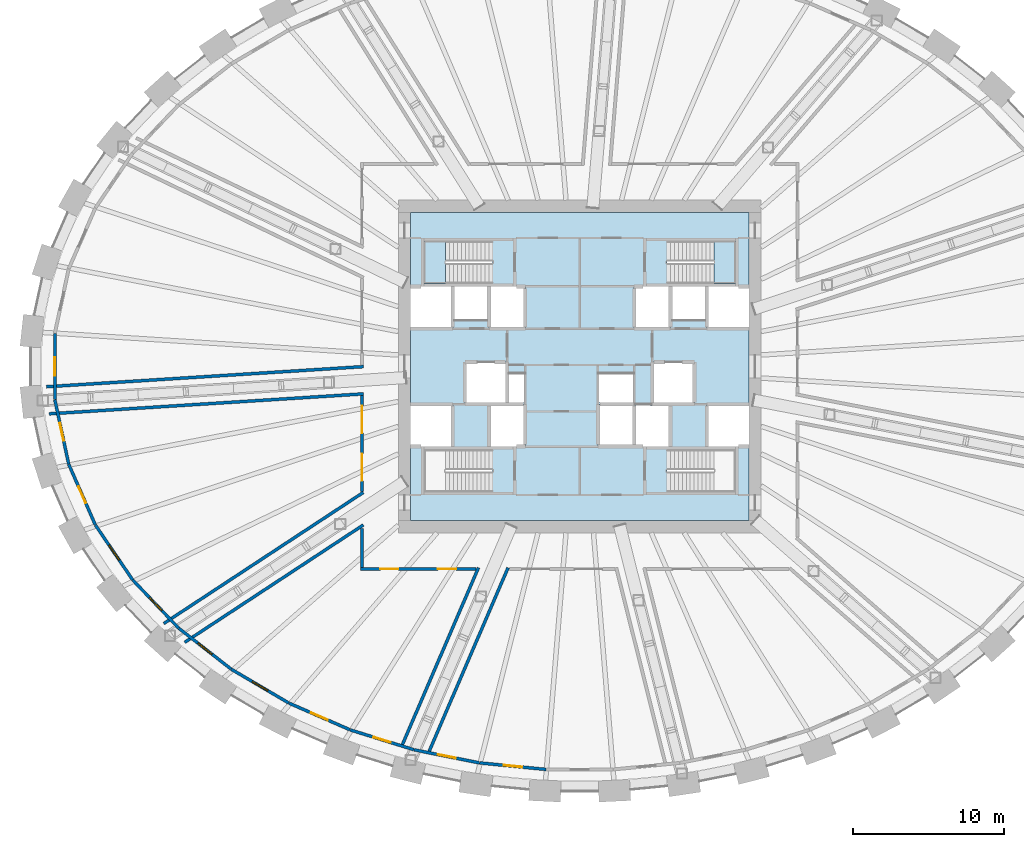
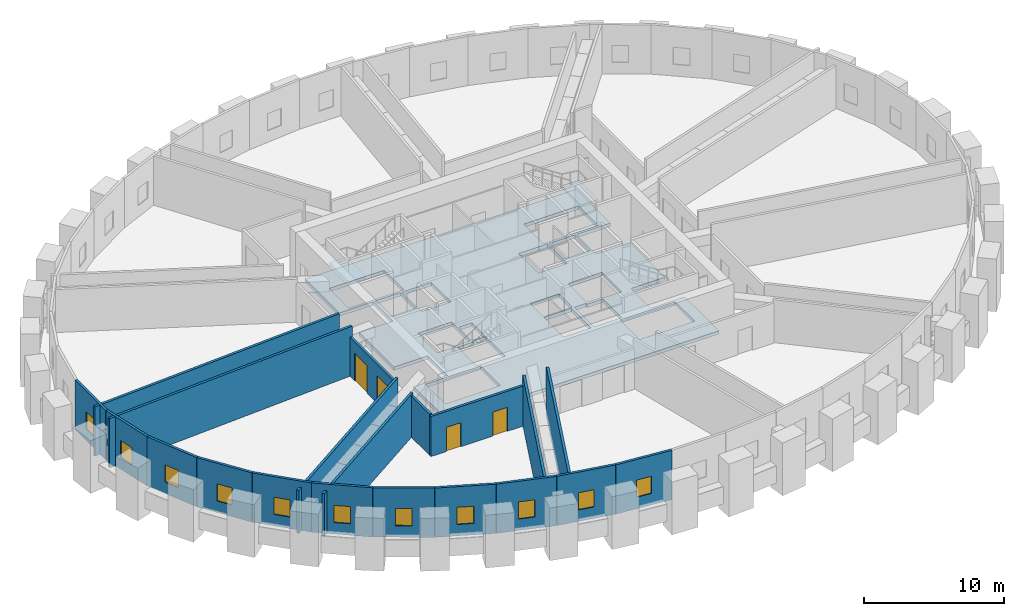
# One storey, part 6 of 13: 20 walls, 11 windows, 4 doors, 3 slabs, 15 openings, 2 elements without a shape of their own.
"""IFC4 building model written with IfcOpenShell, lengths in metres."""

from ifc_helpers import new_model, si_unit, direction, frame, frame_2d, origin, place, context, subcontext, project, spatial, polyline, rectangle, outline, extrude, source, transform, mapped, material, layer, layer_set, type_object, element, fill, aggregate, save


model = new_model("IFC4")

# Units and contexts
model_context = context("Model", 3, precision=1e-05, world=origin(), true_north=direction((0.0, 1.0)))
body_context = subcontext(model_context, "Body", "Model", "MODEL_VIEW")
ifc_project = project(units=[si_unit("LENGTHUNIT", "METRE"), si_unit("AREAUNIT", "SQUARE_METRE"), si_unit("VOLUMEUNIT", "CUBIC_METRE"), si_unit("PLANEANGLEUNIT", "RADIAN"), si_unit("MASSUNIT", "GRAM", prefix="KILO")], contexts=[model_context])

# Site, building, storey
site_placement = place(None, origin())
site = spatial("IfcSite", under=ifc_project, at=site_placement, CompositionType="ELEMENT")
building_placement = place(site_placement, origin())
building = spatial("IfcBuilding", under=site, at=building_placement, Name="Embergate Tower", CompositionType="ELEMENT")
storey_placement = place(building_placement, frame((0.0, 0.0, 195.0)))
storey = spatial("IfcBuildingStorey", under=building, at=storey_placement, Name="L44", CompositionType="ELEMENT", Elevation=195.0)

# Stair, slab
ifc_material_1 = material(Name="Exit stair")
stair_type = type_object("IfcStairType", Name="Exit stair", PredefinedType="HALF_TURN_STAIR", material=ifc_material_1)
stair_1_placement = place(storey_placement, origin())
stair_1 = element("IfcStair", 1, at=stair_1_placement, inside=storey, type_object=stair_type, Name="L44 Exit stair 1", PredefinedType="HALF_TURN_STAIR")
ifc_material_2 = material(Name="Concrete C40", Category="concrete")
ifc_layer_1 = layer(ifc_material_2, 0.199951171875)
ifc_layer_set_1 = layer_set([ifc_layer_1], Name="Concrete C40")
slab_type_1 = type_object("IfcSlabType", Name="Stair landing reinforced concrete", PredefinedType="LANDING", material=ifc_layer_set_1)
shared_shape_1 = source(origin(), body_context, "Body", "SweptSolid", [
    extrude(outline(polyline([(0.0, 0.0), (1.429931640625, 0.0), (1.429931640625, 2.800048828125), (0.0, 2.800048828125), (0.0, 0.0)])), origin(), (0.0, 0.0, 1.0), 0.199951171875),
])
slab_1_placement = place(storey_placement, frame((-10.300048828125, 5.5, 2.050048828125)))
slab_1 = element("IfcSlab", 2, at=slab_1_placement, type_object=slab_type_1, Name="ST1 landing 1", PredefinedType="LANDING", context=body_context, shape_type="MappedRepresentation", body=[
    mapped(shared_shape_1, transform((0.0, 0.0, 0.0))),
])
aggregate(stair_1, [slab_1])

stair_2_placement = place(storey_placement, origin())
stair_2 = element("IfcStair", 3, at=stair_2_placement, inside=storey, type_object=stair_type, Name="L44 Exit stair 2", PredefinedType="HALF_TURN_STAIR")
slab_2_placement = place(storey_placement, frame((8.8701171875, 5.5, 2.050048828125)))
slab_2 = element("IfcSlab", 4, at=slab_2_placement, type_object=slab_type_1, Name="ST2 landing 1", PredefinedType="LANDING", context=body_context, shape_type="MappedRepresentation", body=[
    mapped(shared_shape_1, transform((0.0, 0.0, 0.0))),
])
aggregate(stair_2, [slab_2])

# Slab
ifc_layer_2 = layer(ifc_material_2, 0.300048828125)
ifc_layer_set_2 = layer_set([ifc_layer_2], Name="Concrete C40")
slab_type_2 = type_object("IfcSlabType", Name="Core floor slab 300 reinforced concrete", PredefinedType="FLOOR", material=ifc_layer_set_2)
shared_shape_2 = source(origin(), body_context, "Body", "SweptSolid", [
    extrude(outline(polyline([(0.0, 0.0), (22.39990234375, 0.0), (22.39990234375, 4.89990234375), (19.599853515625, 4.89990234375), (19.599853515625, 7.699951171875), (22.39990234375, 7.699951171875), (22.39990234375, 12.699951171875), (19.599853515625, 12.699951171875), (19.599853515625, 15.5), (22.39990234375, 15.5), (22.39990234375, 20.39990234375), (0.0, 20.39990234375), (0.0, 15.5), (2.800048828125, 15.5), (2.800048828125, 12.699951171875), (0.0, 12.699951171875), (0.0, 7.699951171875), (2.800048828125, 7.699951171875), (2.800048828125, 4.89990234375), (0.0, 4.89990234375), (0.0, 0.0)]), holes=[polyline([(0.89990234375, 1.89990234375), (0.89990234375, 4.699951171875), (5.43994140625, 4.699951171875), (5.43994140625, 1.89990234375), (0.89990234375, 1.89990234375)]), polyline([(16.9599609375, 1.89990234375), (16.9599609375, 4.699951171875), (21.5, 4.699951171875), (21.5, 1.89990234375), (16.9599609375, 1.89990234375)]), polyline([(5.199951171875, 4.89990234375), (5.199951171875, 7.574951171875), (6.52490234375, 7.574951171875), (6.52490234375, 7.699951171875), (7.599853515625, 7.699951171875), (7.599853515625, 4.89990234375), (5.199951171875, 4.89990234375)]), polyline([(12.39990234375, 4.89990234375), (12.39990234375, 7.699951171875), (14.675048828125, 7.699951171875), (14.675048828125, 4.89990234375), (12.39990234375, 4.89990234375)]), polyline([(14.925048828125, 4.89990234375), (14.925048828125, 7.699951171875), (15.875, 7.699951171875), (15.875, 7.574951171875), (17.199951171875, 7.574951171875), (17.199951171875, 4.89990234375), (14.925048828125, 4.89990234375)]), polyline([(3.599853515625, 7.699951171875), (3.599853515625, 10.5), (6.39990234375, 10.5), (6.39990234375, 7.824951171875), (5.074951171875, 7.824951171875), (5.074951171875, 7.699951171875), (3.599853515625, 7.699951171875)]), polyline([(17.324951171875, 7.699951171875), (17.324951171875, 7.824951171875), (16.0, 7.824951171875), (16.0, 10.5), (18.800048828125, 10.5), (18.800048828125, 7.699951171875), (17.324951171875, 7.699951171875)]), polyline([(6.52490234375, 7.824951171875), (6.52490234375, 9.699951171875), (7.599853515625, 9.699951171875), (7.599853515625, 7.824951171875), (6.52490234375, 7.824951171875)]), polyline([(12.39990234375, 7.824951171875), (12.39990234375, 9.699951171875), (14.800048828125, 9.699951171875), (14.800048828125, 7.824951171875), (14.675048828125, 7.824951171875), (12.39990234375, 7.824951171875)]), polyline([(5.199951171875, 12.699951171875), (5.199951171875, 15.5), (7.599853515625, 15.5), (7.599853515625, 12.699951171875), (5.199951171875, 12.699951171875)]), polyline([(14.800048828125, 12.699951171875), (14.800048828125, 15.5), (17.199951171875, 15.5), (17.199951171875, 12.699951171875), (14.800048828125, 12.699951171875)]), polyline([(2.925048828125, 13.300048828125), (2.925048828125, 15.5), (5.074951171875, 15.5), (5.074951171875, 13.300048828125), (2.925048828125, 13.300048828125)]), polyline([(17.324951171875, 13.300048828125), (17.324951171875, 15.5), (19.474853515625, 15.5), (19.474853515625, 13.300048828125), (17.324951171875, 13.300048828125)]), polyline([(0.89990234375, 15.699951171875), (0.89990234375, 18.5), (5.43994140625, 18.5), (5.43994140625, 15.699951171875), (0.89990234375, 15.699951171875)]), polyline([(16.9599609375, 15.699951171875), (16.9599609375, 18.5), (21.5, 18.5), (21.5, 15.699951171875), (16.9599609375, 15.699951171875)])]), origin(), (0.0, 0.0, 1.0), 0.300048828125),
])
slab_3_placement = place(storey_placement, frame((-11.199951171875, -10.199951171875, -0.300048828125)))
element("IfcSlab", 5, at=slab_3_placement, inside=storey, type_object=slab_type_2, Name="Core floor slab", PredefinedType="FLOOR", context=body_context, shape_type="MappedRepresentation", body=[
    mapped(shared_shape_2, transform((0.0, 0.0, 0.0))),
])

# Wall, opening, window
ifc_material_3 = material(Name="Terracotta louvre cladding on insulated backing", Category="masonry")
ifc_layer_3 = layer(ifc_material_3, 0.199951171875)
ifc_layer_set_3 = layer_set([ifc_layer_3], Name="Terracotta louvre cladding on insulated backing")
wall_type_1 = type_object("IfcWallType", Name="Terracotta louvre wall", PredefinedType="SOLIDWALL", material=ifc_layer_set_3)
shared_shape_3 = source(origin(), body_context, "Body", "SweptSolid", [
    extrude(rectangle(XDim=4.35986328125, YDim=0.199951171875, at=frame_2d((2.179931640625, 0.0))), origin(), (0.0, 0.0, 1.0), 4.300048828125),
])
wall_1_placement = place(storey_placement, frame((-33.805419921875, -6.46044921875, 0.0), z_axis=(0.0, 0.0, 1.0), x_axis=(-0.210385645864, 0.977618473646, 0.0)))
wall_1 = element("IfcWall", 6, at=wall_1_placement, inside=storey, type_object=wall_type_1, Name="Louvre wall 23", PredefinedType="SOLIDWALL", context=body_context, shape_type="MappedRepresentation", body=[
    mapped(shared_shape_3, transform((0.0, 0.0, 0.0))),
])
shared_shape_4 = source(origin(), body_context, "Body", "SweptSolid", [
    extrude(rectangle(XDim=1.199951171875, YDim=1.5, at=frame_2d((0.60009765625, 0.75))), frame((0.0, 0.10986328125, 0.0), z_axis=(0.0, -1.0, 0.0), x_axis=(1.0, 0.0, 0.0)), (0.0, 0.0, 1.0), 0.219970703125),
])
opening_1_placement = place(wall_1_placement, frame((1.579833984375, 0.0, 1.0)))
opening_1 = element("IfcOpeningElement", 7, at=opening_1_placement, cuts=wall_1, Name="Opening RW", PredefinedType="OPENING", context=body_context, shape_type="MappedRepresentation", body=[
    mapped(shared_shape_4, transform((0.0, 0.0, 0.0))),
])
ifc_material_4 = material(Name="Aluminium, thermally broken, triple glazed", Category="aluminium")
window_type = type_object("IfcWindowType", Name="Refuge operable window", PartitioningType="SINGLE_PANEL", PredefinedType="WINDOW", material=ifc_material_4)
shared_shape_5 = source(origin(), body_context, "Body", "SweptSolid", [
    extrude(rectangle(XDim=1.199951171875, YDim=1.5, at=frame_2d((0.60009765625, 0.75))), frame((0.0, 0.030029296875, 0.0), z_axis=(0.0, -1.0, 0.0), x_axis=(1.0, 0.0, 0.0)), (0.0, 0.0, 1.0), 0.06005859375),
])
window_1_placement = place(opening_1_placement, origin())
window_1 = element("IfcWindow", 8, at=window_1_placement, inside=storey, type_object=window_type, Name="Refuge window 23", OverallHeight=1.5, OverallWidth=1.199951171875, PartitioningType="SINGLE_PANEL", PredefinedType="WINDOW", context=body_context, shape_type="MappedRepresentation", body=[
    mapped(shared_shape_5, transform((0.0, 0.0, 0.0))),
])
fill(opening_1, window_1)

shared_shape_6 = source(origin(), body_context, "Body", "SweptSolid", [
    extrude(rectangle(XDim=4.36669921875, YDim=0.199951171875, at=frame_2d((2.183349609375, 0.0))), origin(), (0.0, 0.0, 1.0), 4.300048828125),
])
wall_2_placement = place(storey_placement, frame((-32.04541015625, -10.478515625, 0.0), z_axis=(0.0, 0.0, 1.0), x_axis=(-0.40165162364, 0.915792538312, 0.0)))
wall_2 = element("IfcWall", 9, at=wall_2_placement, inside=storey, type_object=wall_type_1, Name="Louvre wall 24", PredefinedType="SOLIDWALL", context=body_context, shape_type="MappedRepresentation", body=[
    mapped(shared_shape_6, transform((0.0, 0.0, 0.0))),
])
opening_2_placement = place(wall_2_placement, frame((1.58349609375, 0.0, 1.0)))
opening_2 = element("IfcOpeningElement", 10, at=opening_2_placement, cuts=wall_2, Name="Opening RW", PredefinedType="OPENING", context=body_context, shape_type="MappedRepresentation", body=[
    mapped(shared_shape_4, transform((0.0, 0.0, 0.0))),
])
window_2_placement = place(opening_2_placement, origin())
window_2 = element("IfcWindow", 11, at=window_2_placement, inside=storey, type_object=window_type, Name="Refuge window 24", OverallHeight=1.5, OverallWidth=1.199951171875, PartitioningType="SINGLE_PANEL", PredefinedType="WINDOW", context=body_context, shape_type="MappedRepresentation", body=[
    mapped(shared_shape_5, transform((0.0, 0.0, 0.0))),
])
fill(opening_2, window_2)

shared_shape_7 = source(origin(), body_context, "Body", "SweptSolid", [
    extrude(rectangle(XDim=4.375732421875, YDim=0.199951171875, at=frame_2d((2.18798828125, 0.0))), origin(), (0.0, 0.0, 1.0), 4.300048828125),
])
wall_3_placement = place(storey_placement, frame((-29.5751953125, -14.1142578125, 0.0), z_axis=(0.0, 0.0, 1.0), x_axis=(-0.562299338561, 0.826933766304, 0.0)))
wall_3 = element("IfcWall", 12, at=wall_3_placement, inside=storey, type_object=wall_type_1, Name="Louvre wall 25", PredefinedType="SOLIDWALL", context=body_context, shape_type="MappedRepresentation", body=[
    mapped(shared_shape_7, transform((0.0, 0.0, 0.0))),
])
opening_3_placement = place(wall_3_placement, frame((1.587890625, 0.0, 1.0)))
opening_3 = element("IfcOpeningElement", 13, at=opening_3_placement, cuts=wall_3, Name="Opening RW", PredefinedType="OPENING", context=body_context, shape_type="MappedRepresentation", body=[
    mapped(shared_shape_4, transform((0.0, 0.0, 0.0))),
])
window_3_placement = place(opening_3_placement, origin())
window_3 = element("IfcWindow", 14, at=window_3_placement, inside=storey, type_object=window_type, Name="Refuge window 25", OverallHeight=1.5, OverallWidth=1.199951171875, PartitioningType="SINGLE_PANEL", PredefinedType="WINDOW", context=body_context, shape_type="MappedRepresentation", body=[
    mapped(shared_shape_5, transform((0.0, 0.0, 0.0))),
])
fill(opening_3, window_3)

shared_shape_8 = source(origin(), body_context, "Body", "SweptSolid", [
    extrude(rectangle(XDim=4.384521484375, YDim=0.199951171875, at=frame_2d((2.1923828125, 0.0))), origin(), (0.0, 0.0, 1.0), 4.300048828125),
])
wall_4_placement = place(storey_placement, frame((-26.536865234375, -17.302734375, 0.0), z_axis=(0.0, 0.0, 1.0), x_axis=(-0.690090256074, 0.723723316242, 0.0)))
wall_4 = element("IfcWall", 15, at=wall_4_placement, inside=storey, type_object=wall_type_1, Name="Louvre wall 26", PredefinedType="SOLIDWALL", context=body_context, shape_type="MappedRepresentation", body=[
    mapped(shared_shape_8, transform((0.0, 0.0, 0.0))),
])
opening_4_placement = place(wall_4_placement, frame((1.59228515625, 0.0, 1.0)))
opening_4 = element("IfcOpeningElement", 16, at=opening_4_placement, cuts=wall_4, Name="Opening RW", PredefinedType="OPENING", context=body_context, shape_type="MappedRepresentation", body=[
    mapped(shared_shape_4, transform((0.0, 0.0, 0.0))),
])
window_4_placement = place(opening_4_placement, origin())
window_4 = element("IfcWindow", 17, at=window_4_placement, inside=storey, type_object=window_type, Name="Refuge window 26", OverallHeight=1.5, OverallWidth=1.199951171875, PartitioningType="SINGLE_PANEL", PredefinedType="WINDOW", context=body_context, shape_type="MappedRepresentation", body=[
    mapped(shared_shape_5, transform((0.0, 0.0, 0.0))),
])
fill(opening_4, window_4)

shared_shape_9 = source(origin(), body_context, "Body", "SweptSolid", [
    extrude(rectangle(XDim=4.391845703125, YDim=0.199951171875, at=frame_2d((2.19580078125, 0.0))), origin(), (0.0, 0.0, 1.0), 4.300048828125),
])
wall_5_placement = place(storey_placement, frame((-23.059814453125, -20.018310546875, 0.0), z_axis=(0.0, 0.0, 1.0), x_axis=(-0.788318413973, 0.615267485075, 0.0)))
wall_5 = element("IfcWall", 18, at=wall_5_placement, inside=storey, type_object=wall_type_1, Name="Louvre wall 27", PredefinedType="SOLIDWALL", context=body_context, shape_type="MappedRepresentation", body=[
    mapped(shared_shape_9, transform((0.0, 0.0, 0.0))),
])
opening_5_placement = place(wall_5_placement, frame((1.595947265625, 0.0, 1.0)))
opening_5 = element("IfcOpeningElement", 19, at=opening_5_placement, cuts=wall_5, Name="Opening RW", PredefinedType="OPENING", context=body_context, shape_type="MappedRepresentation", body=[
    mapped(shared_shape_4, transform((0.0, 0.0, 0.0))),
])
window_5_placement = place(opening_5_placement, origin())
window_5 = element("IfcWindow", 20, at=window_5_placement, inside=storey, type_object=window_type, Name="Refuge window 27", OverallHeight=1.5, OverallWidth=1.199951171875, PartitioningType="SINGLE_PANEL", PredefinedType="WINDOW", context=body_context, shape_type="MappedRepresentation", body=[
    mapped(shared_shape_5, transform((0.0, 0.0, 0.0))),
])
fill(opening_5, window_5)

shared_shape_10 = source(origin(), body_context, "Body", "SweptSolid", [
    extrude(rectangle(XDim=4.398193359375, YDim=0.199951171875, at=frame_2d((2.19921875, 0.0))), origin(), (0.0, 0.0, 1.0), 4.300048828125),
])
wall_6_placement = place(storey_placement, frame((-19.251708984375, -22.2587890625, 0.0), z_axis=(0.0, 0.0, 1.0), x_axis=(-0.862038363545, 0.506843032681, 0.0)))
wall_6 = element("IfcWall", 21, at=wall_6_placement, inside=storey, type_object=wall_type_1, Name="Louvre wall 28", PredefinedType="SOLIDWALL", context=body_context, shape_type="MappedRepresentation", body=[
    mapped(shared_shape_10, transform((0.0, 0.0, 0.0))),
])
opening_6_placement = place(wall_6_placement, frame((1.59912109375, 0.0, 1.0)))
opening_6 = element("IfcOpeningElement", 22, at=opening_6_placement, cuts=wall_6, Name="Opening RW", PredefinedType="OPENING", context=body_context, shape_type="MappedRepresentation", body=[
    mapped(shared_shape_4, transform((0.0, 0.0, 0.0))),
])
window_6_placement = place(opening_6_placement, origin())
window_6 = element("IfcWindow", 23, at=window_6_placement, inside=storey, type_object=window_type, Name="Refuge window 28", OverallHeight=1.5, OverallWidth=1.199951171875, PartitioningType="SINGLE_PANEL", PredefinedType="WINDOW", context=body_context, shape_type="MappedRepresentation", body=[
    mapped(shared_shape_5, transform((0.0, 0.0, 0.0))),
])
fill(opening_6, window_6)

shared_shape_11 = source(origin(), body_context, "Body", "SweptSolid", [
    extrude(rectangle(XDim=4.402587890625, YDim=0.199951171875, at=frame_2d((2.201171875, 0.0))), origin(), (0.0, 0.0, 1.0), 4.300048828125),
])
wall_7_placement = place(storey_placement, frame((-15.2001953125, -24.03173828125, 0.0), z_axis=(0.0, 0.0, 1.0), x_axis=(-0.916226049161, 0.400661736181, 0.0)))
wall_7 = element("IfcWall", 24, at=wall_7_placement, inside=storey, type_object=wall_type_1, Name="Louvre wall 29", PredefinedType="SOLIDWALL", context=body_context, shape_type="MappedRepresentation", body=[
    mapped(shared_shape_11, transform((0.0, 0.0, 0.0))),
])
opening_7_placement = place(wall_7_placement, frame((1.601318359375, 0.0, 1.0)))
opening_7 = element("IfcOpeningElement", 25, at=opening_7_placement, cuts=wall_7, Name="Opening RW", PredefinedType="OPENING", context=body_context, shape_type="MappedRepresentation", body=[
    mapped(shared_shape_4, transform((0.0, 0.0, 0.0))),
])
window_7_placement = place(opening_7_placement, origin())
window_7 = element("IfcWindow", 26, at=window_7_placement, inside=storey, type_object=window_type, Name="Refuge window 29", OverallHeight=1.5, OverallWidth=1.199951171875, PartitioningType="SINGLE_PANEL", PredefinedType="WINDOW", context=body_context, shape_type="MappedRepresentation", body=[
    mapped(shared_shape_5, transform((0.0, 0.0, 0.0))),
])
fill(opening_7, window_7)

shared_shape_12 = source(origin(), body_context, "Body", "SweptSolid", [
    extrude(rectangle(XDim=4.406005859375, YDim=0.199951171875, at=frame_2d((2.203125, 0.0))), origin(), (0.0, 0.0, 1.0), 4.300048828125),
])
wall_8_placement = place(storey_placement, frame((-10.974609375, -25.348876953125, 0.0), z_axis=(0.0, 0.0, 1.0), x_axis=(-0.954774310251, 0.297331492589, 0.0)))
wall_8 = element("IfcWall", 27, at=wall_8_placement, inside=storey, type_object=wall_type_1, Name="Louvre wall 30", PredefinedType="SOLIDWALL", context=body_context, shape_type="MappedRepresentation", body=[
    mapped(shared_shape_12, transform((0.0, 0.0, 0.0))),
])
opening_8_placement = place(wall_8_placement, frame((1.60302734375, 0.0, 1.0)))
opening_8 = element("IfcOpeningElement", 28, at=opening_8_placement, cuts=wall_8, Name="Opening RW", PredefinedType="OPENING", context=body_context, shape_type="MappedRepresentation", body=[
    mapped(shared_shape_4, transform((0.0, 0.0, 0.0))),
])
window_8_placement = place(opening_8_placement, origin())
window_8 = element("IfcWindow", 29, at=window_8_placement, inside=storey, type_object=window_type, Name="Refuge window 30", OverallHeight=1.5, OverallWidth=1.199951171875, PartitioningType="SINGLE_PANEL", PredefinedType="WINDOW", context=body_context, shape_type="MappedRepresentation", body=[
    mapped(shared_shape_5, transform((0.0, 0.0, 0.0))),
])
fill(opening_8, window_8)

shared_shape_13 = source(origin(), body_context, "Body", "SweptSolid", [
    extrude(rectangle(XDim=4.408447265625, YDim=0.199951171875, at=frame_2d((2.2041015625, 0.0))), origin(), (0.0, 0.0, 1.0), 4.300048828125),
])
wall_9_placement = place(storey_placement, frame((-6.633056640625, -26.220703125, 0.0), z_axis=(0.0, 0.0, 1.0), x_axis=(-0.980471892556, 0.196659268553, 0.0)))
wall_9 = element("IfcWall", 30, at=wall_9_placement, inside=storey, type_object=wall_type_1, Name="Louvre wall 31", PredefinedType="SOLIDWALL", context=body_context, shape_type="MappedRepresentation", body=[
    mapped(shared_shape_13, transform((0.0, 0.0, 0.0))),
])
opening_9_placement = place(wall_9_placement, frame((1.60400390625, 0.0, 1.0)))
opening_9 = element("IfcOpeningElement", 31, at=opening_9_placement, cuts=wall_9, Name="Opening RW", PredefinedType="OPENING", context=body_context, shape_type="MappedRepresentation", body=[
    mapped(shared_shape_4, transform((0.0, 0.0, 0.0))),
])
window_9_placement = place(opening_9_placement, origin())
window_9 = element("IfcWindow", 32, at=window_9_placement, inside=storey, type_object=window_type, Name="Refuge window 31", OverallHeight=1.5, OverallWidth=1.199951171875, PartitioningType="SINGLE_PANEL", PredefinedType="WINDOW", context=body_context, shape_type="MappedRepresentation", body=[
    mapped(shared_shape_5, transform((0.0, 0.0, 0.0))),
])
fill(opening_9, window_9)

shared_shape_14 = source(origin(), body_context, "Body", "SweptSolid", [
    extrude(rectangle(XDim=4.40966796875, YDim=0.199951171875, at=frame_2d((2.204833984375, 0.0))), origin(), (0.0, 0.0, 1.0), 4.300048828125),
])
wall_10_placement = place(storey_placement, frame((-2.224853515625, -26.65478515625, 0.0), z_axis=(0.0, 0.0, 1.0), x_axis=(-0.99520836883, 0.097776799964, 0.0)))
wall_10 = element("IfcWall", 33, at=wall_10_placement, inside=storey, type_object=wall_type_1, Name="Louvre wall 32", PredefinedType="SOLIDWALL", context=body_context, shape_type="MappedRepresentation", body=[
    mapped(shared_shape_14, transform((0.0, 0.0, 0.0))),
])
opening_10_placement = place(wall_10_placement, frame((1.604736328125, 0.0, 1.0)))
opening_10 = element("IfcOpeningElement", 34, at=opening_10_placement, cuts=wall_10, Name="Opening RW", PredefinedType="OPENING", context=body_context, shape_type="MappedRepresentation", body=[
    mapped(shared_shape_4, transform((0.0, 0.0, 0.0))),
])
window_10_placement = place(opening_10_placement, origin())
window_10 = element("IfcWindow", 35, at=window_10_placement, inside=storey, type_object=window_type, Name="Refuge window 32", OverallHeight=1.5, OverallWidth=1.199951171875, PartitioningType="SINGLE_PANEL", PredefinedType="WINDOW", context=body_context, shape_type="MappedRepresentation", body=[
    mapped(shared_shape_5, transform((0.0, 0.0, 0.0))),
])
fill(opening_10, window_10)

shared_shape_15 = source(origin(), body_context, "Body", "SweptSolid", [
    extrude(rectangle(XDim=4.35693359375, YDim=0.199951171875, at=frame_2d((2.178466796875, 0.0))), origin(), (0.0, 0.0, 1.0), 4.300048828125),
])
wall_11_placement = place(storey_placement, frame((-34.724609375, -2.178466796875, 0.0), z_axis=(0.0, 0.0, 1.0), x_axis=(0.0, 1.0, 0.0)))
wall_11 = element("IfcWall", 36, at=wall_11_placement, inside=storey, type_object=wall_type_1, Name="Louvre wall 22", PredefinedType="SOLIDWALL", context=body_context, shape_type="MappedRepresentation", body=[
    mapped(shared_shape_15, transform((0.0, 0.0, 0.0))),
])
opening_11_placement = place(wall_11_placement, frame((1.57861328125, 0.0, 1.0)))
opening_11 = element("IfcOpeningElement", 37, at=opening_11_placement, cuts=wall_11, Name="Opening RW", PredefinedType="OPENING", context=body_context, shape_type="MappedRepresentation", body=[
    mapped(shared_shape_4, transform((0.0, 0.0, 0.0))),
])
window_11_placement = place(opening_11_placement, origin())
window_11 = element("IfcWindow", 38, at=window_11_placement, inside=storey, type_object=window_type, Name="Refuge window 22", OverallHeight=1.5, OverallWidth=1.199951171875, PartitioningType="SINGLE_PANEL", PredefinedType="WINDOW", context=body_context, shape_type="MappedRepresentation", body=[
    mapped(shared_shape_5, transform((0.0, 0.0, 0.0))),
])
fill(opening_11, window_11)

# Walls
ifc_material_5 = material(Name="Blockwork, plastered", Category="masonry")
ifc_layer_4 = layer(ifc_material_5, 0.199951171875)
ifc_layer_set_4 = layer_set([ifc_layer_4], Name="Blockwork, plastered")
wall_type_2 = type_object("IfcWallType", Name="Fire partition wall 200 block", PredefinedType="PARTITIONING", material=ifc_layer_set_4)
shared_shape_16 = source(origin(), body_context, "Body", "SweptSolid", [
    extrude(rectangle(XDim=20.837890625, YDim=0.199951171875, at=frame_2d((10.4189453125, 0.0))), origin(), (0.0, 0.0, 1.0), 4.300048828125),
])
wall_12_placement = place(storey_placement, frame((-35.095947265625, -3.131103515625, 0.0), z_axis=(0.0, 0.0, 1.0), x_axis=(0.997988417577, 0.063396517111, 0.0)))
element("IfcWall", 39, at=wall_12_placement, inside=storey, type_object=wall_type_2, Name="Partition 001", PredefinedType="PARTITIONING", context=body_context, shape_type="MappedRepresentation", body=[
    mapped(shared_shape_16, transform((0.0, 0.0, 0.0))),
])
shared_shape_17 = source(origin(), body_context, "Body", "SweptSolid", [
    extrude(rectangle(XDim=14.138671875, YDim=0.199951171875, at=frame_2d((7.0693359375, 0.0))), origin(), (0.0, 0.0, 1.0), 3.75),
])
wall_13_placement = place(storey_placement, frame((-26.132080078125, -18.24609375, 0.0), z_axis=(0.0, 0.0, 1.0), x_axis=(0.835729706548, 0.549141017948, 0.0)))
element("IfcWall", 40, at=wall_13_placement, inside=storey, type_object=wall_type_2, Name="Partition 003", PredefinedType="PARTITIONING", context=body_context, shape_type="MappedRepresentation", body=[
    mapped(shared_shape_17, transform((0.0, 0.0, 0.0))),
])
shared_shape_18 = source(origin(), body_context, "Body", "SweptSolid", [
    extrude(rectangle(XDim=2.593017578125, YDim=0.199951171875, at=frame_2d((1.29638671875, 0.0))), origin(), (0.0, 0.0, 1.0), 3.60009765625),
])
wall_14_placement = place(storey_placement, frame((-14.39990234375, -13.300048828125, 0.0), z_axis=(0.0, 0.0, 1.0), x_axis=(0.0, 1.0, 0.0)))
element("IfcWall", 41, at=wall_14_placement, inside=storey, type_object=wall_type_2, Name="Partition 005", PredefinedType="PARTITIONING", context=body_context, shape_type="MappedRepresentation", body=[
    mapped(shared_shape_18, transform((0.0, 0.0, 0.0))),
])
shared_shape_19 = source(origin(), body_context, "Body", "SweptSolid", [
    extrude(rectangle(XDim=15.795654296875, YDim=0.199951171875, at=frame_2d((7.89794921875, 0.0))), origin(), (0.0, 0.0, 1.0), 3.75),
])
wall_15_placement = place(storey_placement, frame((-14.31591796875, -8.3291015625, 0.0), z_axis=(0.0, 0.0, 1.0), x_axis=(-0.835741148526, -0.549123604173, 0.0)))
element("IfcWall", 42, at=wall_15_placement, inside=storey, type_object=wall_type_2, Name="Partition 006", PredefinedType="PARTITIONING", context=body_context, shape_type="MappedRepresentation", body=[
    mapped(shared_shape_19, transform((0.0, 0.0, 0.0))),
])

# Wall, openings, doors
shared_shape_20 = source(origin(), body_context, "Body", "SweptSolid", [
    extrude(rectangle(XDim=6.337890625, YDim=0.199951171875, at=frame_2d((3.1689453125, 0.0))), origin(), (0.0, 0.0, 1.0), 3.39990234375),
])
wall_16_placement = place(storey_placement, frame((-14.39990234375, -8.25390625, 0.0), z_axis=(0.0, 0.0, 1.0), x_axis=(0.0, 1.0, 0.0)))
wall_16 = element("IfcWall", 43, at=wall_16_placement, inside=storey, type_object=wall_type_2, Name="Partition 007", PredefinedType="PARTITIONING", context=body_context, shape_type="MappedRepresentation", body=[
    mapped(shared_shape_20, transform((0.0, 0.0, 0.0))),
])
shared_shape_21 = source(origin(), body_context, "Body", "SweptSolid", [
    extrude(rectangle(XDim=1.800048828125, YDim=2.39990234375, at=frame_2d((0.89990234375, 1.199951171875))), frame((0.0, 0.10986328125, 0.0), z_axis=(0.0, -1.0, 0.0), x_axis=(1.0, 0.0, 0.0)), (0.0, 0.0, 1.0), 0.219970703125),
])
opening_12_placement = place(wall_16_placement, frame((0.68505859375, 0.0, 0.0)))
opening_12 = element("IfcOpeningElement", 44, at=opening_12_placement, cuts=wall_16, Name="Opening DS-211", PredefinedType="OPENING", context=body_context, shape_type="MappedRepresentation", body=[
    mapped(shared_shape_21, transform((0.0, 0.0, 0.0))),
])
opening_13_placement = place(wall_16_placement, frame((3.85400390625, 0.0, 0.0)))
opening_13 = element("IfcOpeningElement", 45, at=opening_13_placement, cuts=wall_16, Name="Opening DS-212", PredefinedType="OPENING", context=body_context, shape_type="MappedRepresentation", body=[
    mapped(shared_shape_21, transform((0.0, 0.0, 0.0))),
])
ifc_material_6 = material(Name="Timber door leaf, steel frame", Category="steel")
door_type_1 = type_object("IfcDoorType", Name="Double door 1800x2400", OperationType="DOUBLE_DOOR_SINGLE_SWING", PredefinedType="DOOR", material=ifc_material_6)
shared_shape_22 = source(origin(), body_context, "Body", "SweptSolid", [
    extrude(rectangle(XDim=1.800048828125, YDim=2.39990234375, at=frame_2d((0.89990234375, 1.199951171875))), frame((0.0, 0.02490234375, 0.0), z_axis=(0.0, -1.0, 0.0), x_axis=(1.0, 0.0, 0.0)), (0.0, 0.0, 1.0), 0.050048828125),
])
door_1_placement = place(opening_12_placement, origin())
door_1 = element("IfcDoor", 46, at=door_1_placement, inside=storey, type_object=door_type_1, Name="Door to Refuge area", OperationType="SINGLE_SWING_LEFT", OverallHeight=2.39990234375, OverallWidth=1.800048828125, PredefinedType="DOOR", context=body_context, shape_type="MappedRepresentation", body=[
    mapped(shared_shape_22, transform((0.0, 0.0, 0.0))),
])
fill(opening_12, door_1)
door_2_placement = place(opening_13_placement, origin())
door_2 = element("IfcDoor", 47, at=door_2_placement, inside=storey, type_object=door_type_1, Name="Door to Refuge area", OperationType="SINGLE_SWING_LEFT", OverallHeight=2.39990234375, OverallWidth=1.800048828125, PredefinedType="DOOR", context=body_context, shape_type="MappedRepresentation", body=[
    mapped(shared_shape_22, transform((0.0, 0.0, 0.0))),
])
fill(opening_13, door_2)

# Walls
shared_shape_23 = source(origin(), body_context, "Body", "SweptSolid", [
    extrude(rectangle(XDim=21.03125, YDim=0.199951171875, at=frame_2d((10.515625, 0.0))), origin(), (0.0, 0.0, 1.0), 4.300048828125),
])
wall_17_placement = place(storey_placement, frame((-14.300048828125, -0.007080078125, 0.0), z_axis=(0.0, 0.0, 1.0), x_axis=(-0.997989333868, -0.063382091204, 0.0)))
element("IfcWall", 48, at=wall_17_placement, inside=storey, type_object=wall_type_2, Name="Partition 008", PredefinedType="PARTITIONING", context=body_context, shape_type="MappedRepresentation", body=[
    mapped(shared_shape_23, transform((0.0, 0.0, 0.0))),
])
shared_shape_24 = source(origin(), body_context, "Body", "SweptSolid", [
    extrude(rectangle(XDim=13.214599609375, YDim=0.199951171875, at=frame_2d((6.607421875, 0.0))), origin(), (0.0, 0.0, 1.0), 4.300048828125),
])
wall_18_placement = place(storey_placement, frame((-9.958984375, -25.448974609375, 0.0), z_axis=(0.0, 0.0, 1.0), x_axis=(0.39486449653, 0.918739369669, 0.0)))
element("IfcWall", 49, at=wall_18_placement, inside=storey, type_object=wall_type_2, Name="Partition 013", PredefinedType="PARTITIONING", context=body_context, shape_type="MappedRepresentation", body=[
    mapped(shared_shape_24, transform((0.0, 0.0, 0.0))),
])

# Wall, openings, doors
shared_shape_25 = source(origin(), body_context, "Body", "SweptSolid", [
    extrude(rectangle(XDim=7.62109375, YDim=0.199951171875, at=frame_2d((3.810546875, 0.0))), origin(), (0.0, 0.0, 1.0), 3.5),
])
wall_19_placement = place(storey_placement, frame((-6.87890625, -13.39990234375, 0.0), z_axis=(0.0, 0.0, 1.0), x_axis=(-1.0, 0.0, 0.0)))
wall_19 = element("IfcWall", 50, at=wall_19_placement, inside=storey, type_object=wall_type_2, Name="Partition 016", PredefinedType="PARTITIONING", context=body_context, shape_type="MappedRepresentation", body=[
    mapped(shared_shape_25, transform((0.0, 0.0, 0.0))),
])
shared_shape_26 = source(origin(), body_context, "Body", "SweptSolid", [
    extrude(rectangle(XDim=1.199951171875, YDim=2.10009765625, at=frame_2d((0.60009765625, 1.050048828125))), frame((0.0, 0.10986328125, 0.0), z_axis=(0.0, -1.0, 0.0), x_axis=(1.0, 0.0, 0.0)), (0.0, 0.0, 1.0), 0.219970703125),
])
opening_14_placement = place(wall_19_placement, frame((1.304931640625, 0.0, 0.0)))
opening_14 = element("IfcOpeningElement", 51, at=opening_14_placement, cuts=wall_19, Name="Opening DS-213", PredefinedType="OPENING", context=body_context, shape_type="MappedRepresentation", body=[
    mapped(shared_shape_26, transform((0.0, 0.0, 0.0))),
])
opening_15_placement = place(wall_19_placement, frame((5.115966796875, 0.0, 0.0)))
opening_15 = element("IfcOpeningElement", 52, at=opening_15_placement, cuts=wall_19, Name="Opening DS-214", PredefinedType="OPENING", context=body_context, shape_type="MappedRepresentation", body=[
    mapped(shared_shape_26, transform((0.0, 0.0, 0.0))),
])
door_type_2 = type_object("IfcDoorType", Name="Plant door 1200x2100", OperationType="SINGLE_SWING_LEFT", PredefinedType="DOOR", material=ifc_material_6)
shared_shape_27 = source(origin(), body_context, "Body", "SweptSolid", [
    extrude(rectangle(XDim=1.199951171875, YDim=2.10009765625, at=frame_2d((0.60009765625, 1.050048828125))), frame((0.0, 0.02490234375, 0.0), z_axis=(0.0, -1.0, 0.0), x_axis=(1.0, 0.0, 0.0)), (0.0, 0.0, 1.0), 0.050048828125),
])
door_3_placement = place(opening_14_placement, origin())
door_3 = element("IfcDoor", 53, at=door_3_placement, inside=storey, type_object=door_type_2, Name="Door to Transformer room", OperationType="SINGLE_SWING_LEFT", OverallHeight=2.10009765625, OverallWidth=1.199951171875, PredefinedType="DOOR", context=body_context, shape_type="MappedRepresentation", body=[
    mapped(shared_shape_27, transform((0.0, 0.0, 0.0))),
])
fill(opening_14, door_3)
door_4_placement = place(opening_15_placement, origin())
door_4 = element("IfcDoor", 54, at=door_4_placement, inside=storey, type_object=door_type_2, Name="Door to Transformer room", OperationType="SINGLE_SWING_LEFT", OverallHeight=2.10009765625, OverallWidth=1.199951171875, PredefinedType="DOOR", context=body_context, shape_type="MappedRepresentation", body=[
    mapped(shared_shape_27, transform((0.0, 0.0, 0.0))),
])
fill(opening_15, door_4)

# Wall
shared_shape_28 = source(origin(), body_context, "Body", "SweptSolid", [
    extrude(rectangle(XDim=12.737060546875, YDim=0.199951171875, at=frame_2d((6.36865234375, 0.0))), origin(), (0.0, 0.0, 1.0), 4.300048828125),
])
wall_20_placement = place(storey_placement, frame((-6.699951171875, -13.30810546875, 0.0), z_axis=(0.0, 0.0, 1.0), x_axis=(-0.394909173488, -0.918720166697, 0.0)))
element("IfcWall", 55, at=wall_20_placement, inside=storey, type_object=wall_type_2, Name="Partition 017", PredefinedType="PARTITIONING", context=body_context, shape_type="MappedRepresentation", body=[
    mapped(shared_shape_28, transform((0.0, 0.0, 0.0))),
])

save(model, "model.ifc")
